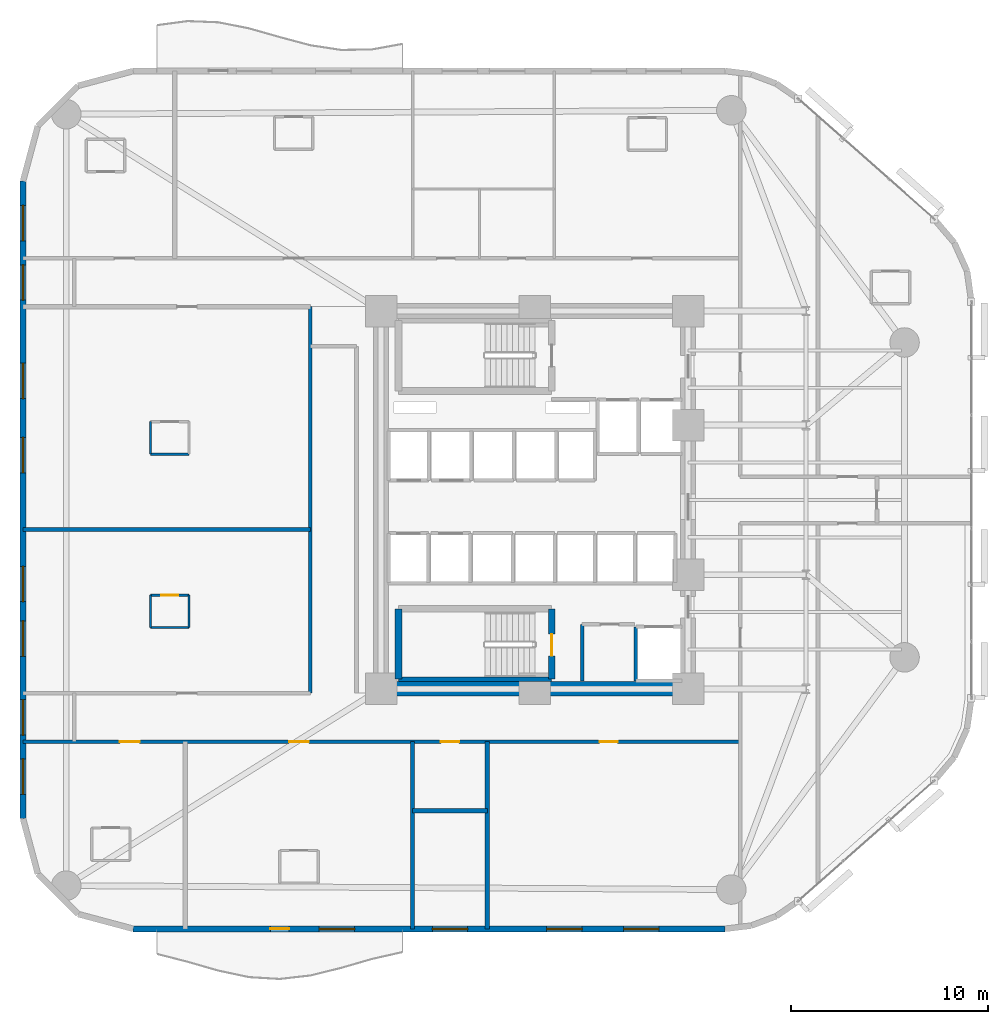
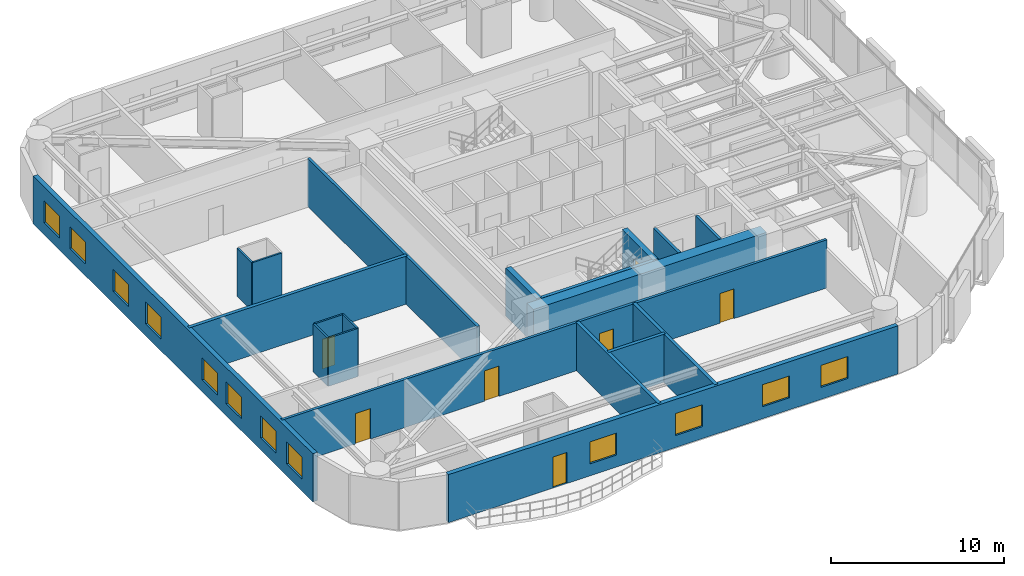
# One storey, part 10 of 16: 20 walls, 12 windows, 7 doors, 19 openings.
"""IFC4 building model written with IfcOpenShell, lengths in metres."""

from ifc_helpers import new_model, si_unit, direction, frame, frame_2d, origin, place, context, subcontext, project, spatial, rectangle, extrude, material, layer, layer_set, type_object, element, fill, save


model = new_model("IFC4")

# Units and contexts
model_context = context("Model", 3, precision=1e-05, world=origin(), true_north=direction((0.0, 1.0)))
body_context = subcontext(model_context, "Body", "Model", "MODEL_VIEW")
ifc_project = project(units=[si_unit("LENGTHUNIT", "METRE"), si_unit("AREAUNIT", "SQUARE_METRE"), si_unit("VOLUMEUNIT", "CUBIC_METRE"), si_unit("PLANEANGLEUNIT", "RADIAN"), si_unit("MASSUNIT", "GRAM", prefix="KILO")], contexts=[model_context])

# Site, building, storey
site_placement = place(None, origin())
site = spatial("IfcSite", under=ifc_project, at=site_placement, CompositionType="ELEMENT")
building_placement = place(site_placement, origin())
building = spatial("IfcBuilding", under=site, at=building_placement, Name="An Khanh Terracotta Commons", CompositionType="ELEMENT")
storey_placement = place(building_placement, frame((0.0, 0.0, 28.800048828125)))
storey = spatial("IfcBuildingStorey", under=building, at=storey_placement, Name="L07", CompositionType="ELEMENT", Elevation=28.800048828125)

# Walls
ifc_material_1 = material(Name="Concrete C70/85", Category="concrete")
ifc_layer_1 = layer(ifc_material_1, 0.75, Name="Concrete C70/85")
ifc_layer_set_1 = layer_set([ifc_layer_1], Name="Concrete C70/85")
wall_type_1 = type_object("IfcWallType", Name="WALL-CORE-750", PredefinedType="SHEAR", material=ifc_layer_set_1)
wall_1_placement = place(storey_placement, frame((37.199951171875, 14.39990234375, 0.0), z_axis=(0.0, 0.0, 1.0), x_axis=(-1.0, 0.0, 0.0)))
element("IfcWall", 1, at=wall_1_placement, inside=storey, type_object=wall_type_1, Name="L07 Core Wall CWALL-L07-S", PredefinedType="SHEAR", context=body_context, shape_type="SweptSolid", body=[
    extrude(rectangle(XDim=15.599853515625, YDim=0.75, at=frame_2d((7.7998046875, 0.0))), origin(), (0.0, 0.0, 1.0), 3.39990234375),
])
ifc_material_2 = material(Name="Fire-Rated Gypsum Board on Steel Stud", Category="steel")
ifc_layer_2 = layer(ifc_material_2, 0.179931640625, Name="Fire-Rated Gypsum Board on Steel Stud")
ifc_layer_set_2 = layer_set([ifc_layer_2], Name="Fire-Rated Gypsum Board on Steel Stud")
wall_type_2 = type_object("IfcWallType", Name="WALL-CORR-180", PredefinedType="PARTITIONING", material=ifc_layer_set_2)
wall_2_placement = place(storey_placement, frame((31.820068359375, 14.800048828125, 0.0), z_axis=(0.0, 0.0, 1.0), x_axis=(0.0, 1.0, 0.0)))
element("IfcWall", 2, at=wall_2_placement, inside=storey, type_object=wall_type_2, Name="L07 Core Wall SSVCW-L07-W", PredefinedType="PARTITIONING", context=body_context, shape_type="SweptSolid", body=[
    extrude(rectangle(XDim=2.8798828125, YDim=0.179931640625, at=frame_2d((1.43994140625, 0.0))), origin(), (0.0, 0.0, 1.0), 3.39990234375),
])
wall_3_placement = place(storey_placement, frame((34.550048828125, 17.550048828125, 0.0), z_axis=(0.0, 0.0, 1.0), x_axis=(0.0, -1.0, 0.0)))
element("IfcWall", 3, at=wall_3_placement, inside=storey, type_object=wall_type_2, Name="L07 Core Wall LSH-L07-SVL-01-W", PredefinedType="PARTITIONING", context=body_context, shape_type="SweptSolid", body=[
    extrude(rectangle(XDim=2.75, YDim=0.179931640625, at=frame_2d((1.375, 0.0))), origin(), (0.0, 0.0, 1.0), 3.39990234375),
])

# Wall, openings, doors
wall_4_placement = place(storey_placement, frame((3.39990234375, 11.719970703125, 0.0), z_axis=(0.0, 0.0, 1.0), x_axis=(1.0, 0.0, 0.0)))
wall_4 = element("IfcWall", 4, at=wall_4_placement, inside=storey, type_object=wall_type_2, Name="L07 Interior Partition IW-L07-E002", PredefinedType="PARTITIONING", context=body_context, shape_type="SweptSolid", body=[
    extrude(rectangle(XDim=36.4501953125, YDim=0.179931640625, at=frame_2d((18.22509765625, 0.0))), origin(), (0.0, 0.0, 1.0), 3.39990234375),
])
opening_1_placement = place(wall_4_placement, frame((21.239990234375, 0.0, 0.0)))
opening_1 = element("IfcOpeningElement", 5, at=opening_1_placement, cuts=wall_4, Name="Opening D-RM", PredefinedType="OPENING", context=body_context, shape_type="SweptSolid", body=[
    extrude(rectangle(XDim=0.919921875, YDim=2.10009765625, at=frame_2d((0.4599609375, 1.050048828125))), frame((0.0, 0.099853515625, 0.0), z_axis=(0.0, -1.0, 0.0), x_axis=(1.0, 0.0, 0.0)), (0.0, 0.0, 1.0), 0.199951171875),
])
opening_2_placement = place(wall_4_placement, frame((4.925048828125, 0.0, 0.0)))
opening_2 = element("IfcOpeningElement", 6, at=opening_2_placement, cuts=wall_4, Name="Opening D-UN", PredefinedType="OPENING", context=body_context, shape_type="SweptSolid", body=[
    extrude(rectangle(XDim=1.0, YDim=2.14990234375, at=frame_2d((0.5, 1.074951171875))), frame((0.0, 0.099853515625, 0.0), z_axis=(0.0, -1.0, 0.0), x_axis=(1.0, 0.0, 0.0)), (0.0, 0.0, 1.0), 0.199951171875),
])
opening_3_placement = place(wall_4_placement, frame((13.52490234375, 0.0, 0.0)))
opening_3 = element("IfcOpeningElement", 7, at=opening_3_placement, cuts=wall_4, Name="Opening D-UN", PredefinedType="OPENING", context=body_context, shape_type="SweptSolid", body=[
    extrude(rectangle(XDim=1.0, YDim=2.14990234375, at=frame_2d((0.5, 1.074951171875))), frame((0.0, 0.099853515625, 0.0), z_axis=(0.0, -1.0, 0.0), x_axis=(1.0, 0.0, 0.0)), (0.0, 0.0, 1.0), 0.199951171875),
])
opening_4_placement = place(wall_4_placement, frame((29.304931640625, 0.0, 0.0)))
opening_4 = element("IfcOpeningElement", 8, at=opening_4_placement, cuts=wall_4, Name="Opening D-RM", PredefinedType="OPENING", context=body_context, shape_type="SweptSolid", body=[
    extrude(rectangle(XDim=0.919921875, YDim=2.10009765625, at=frame_2d((0.4599609375, 1.050048828125))), frame((0.0, 0.099853515625, 0.0), z_axis=(0.0, -1.0, 0.0), x_axis=(1.0, 0.0, 0.0)), (0.0, 0.0, 1.0), 0.199951171875),
])
ifc_material_3 = material(Name="Engineered Hardwood Timber Leaf", Category="wood")
door_type_1 = type_object("IfcDoorType", Name="DOOR-INT-920", OperationType="NOTDEFINED", PredefinedType="DOOR", material=ifc_material_3)
door_1_placement = place(opening_1_placement, origin())
door_1 = element("IfcDoor", 9, at=door_1_placement, inside=storey, type_object=door_type_1, Name="L07 HKP Housekeeping Linen Store Door", OperationType="SINGLE_SWING_LEFT", OverallHeight=2.10009765625, OverallWidth=0.919921875, PredefinedType="DOOR", context=body_context, shape_type="SweptSolid", body=[
    extrude(rectangle(XDim=0.919921875, YDim=2.10009765625, at=frame_2d((0.4599609375, 1.050048828125))), frame((0.0, 0.02490234375, 0.0), z_axis=(0.0, -1.0, 0.0), x_axis=(1.0, 0.0, 0.0)), (0.0, 0.0, 1.0), 0.050048828125),
])
fill(opening_1, door_1)
door_2_placement = place(opening_4_placement, origin())
door_2 = element("IfcDoor", 10, at=door_2_placement, inside=storey, type_object=door_type_1, Name="L07 SWE Communal Kitchen and Dining Door", OperationType="SINGLE_SWING_RIGHT", OverallHeight=2.10009765625, OverallWidth=0.919921875, PredefinedType="DOOR", context=body_context, shape_type="SweptSolid", body=[
    extrude(rectangle(XDim=0.919921875, YDim=2.10009765625, at=frame_2d((0.4599609375, 1.050048828125))), frame((0.0, 0.02490234375, 0.0), z_axis=(0.0, -1.0, 0.0), x_axis=(1.0, 0.0, 0.0)), (0.0, 0.0, 1.0), 0.050048828125),
])
fill(opening_4, door_2)
ifc_material_4 = material(Name="Solid-Core Hardwood Acoustic Fire Door", Category="wood")
door_type_2 = type_object("IfcDoorType", Name="DOOR-UNIT-1000", OperationType="NOTDEFINED", PredefinedType="DOOR", material=ifc_material_4)
door_3_placement = place(opening_2_placement, origin())
door_3 = element("IfcDoor", 11, at=door_3_placement, inside=storey, type_object=door_type_2, Name="L07 SW1 Kitchenette and Studio Apartment Door", OperationType="SINGLE_SWING_RIGHT", OverallHeight=2.14990234375, OverallWidth=1.0, PredefinedType="DOOR", context=body_context, shape_type="SweptSolid", body=[
    extrude(rectangle(XDim=1.0, YDim=2.14990234375, at=frame_2d((0.5, 1.074951171875))), frame((0.0, 0.02490234375, 0.0), z_axis=(0.0, -1.0, 0.0), x_axis=(1.0, 0.0, 0.0)), (0.0, 0.0, 1.0), 0.050048828125),
])
fill(opening_2, door_3)
door_4_placement = place(opening_3_placement, origin())
door_4 = element("IfcDoor", 12, at=door_4_placement, inside=storey, type_object=door_type_2, Name="L07 SW2 Kitchenette and Studio Apartment Door", OperationType="SINGLE_SWING_LEFT", OverallHeight=2.14990234375, OverallWidth=1.0, PredefinedType="DOOR", context=body_context, shape_type="SweptSolid", body=[
    extrude(rectangle(XDim=1.0, YDim=2.14990234375, at=frame_2d((0.5, 1.074951171875))), frame((0.0, 0.02490234375, 0.0), z_axis=(0.0, -1.0, 0.0), x_axis=(1.0, 0.0, 0.0)), (0.0, 0.0, 1.0), 0.050048828125),
])
fill(opening_3, door_4)

# Wall
wall_5_placement = place(storey_placement, frame((18.0, 14.179931640625, 0.0), z_axis=(0.0, 0.0, 1.0), x_axis=(0.0, 1.0, 0.0)))
element("IfcWall", 13, at=wall_5_placement, inside=storey, type_object=wall_type_2, Name="L07 Interior Partition IW-L07-E015", PredefinedType="PARTITIONING", context=body_context, shape_type="SweptSolid", body=[
    extrude(rectangle(XDim=19.64013671875, YDim=0.179931640625, at=frame_2d((9.820068359375, 0.0))), origin(), (0.0, 0.0, 1.0), 3.39990234375),
])

# Wall, openings, door, windows
ifc_material_5 = material(Name="Precast concrete C40/50", Category="concrete")
ifc_layer_3 = layer(ifc_material_5, 0.300048828125, Name="Precast concrete C40/50")
ifc_layer_set_3 = layer_set([ifc_layer_3], Name="Precast concrete C40/50")
wall_type_3 = type_object("IfcWallType", Name="WALL-EXT-300", PredefinedType="SOLIDWALL", material=ifc_layer_set_3)
wall_6_placement = place(storey_placement, frame((9.0, 2.199951171875, 0.0), z_axis=(0.0, 0.0, 1.0), x_axis=(1.0, 0.0, 0.0)))
wall_6 = element("IfcWall", 14, at=wall_6_placement, inside=storey, type_object=wall_type_3, Name="L07 Insulated Terracotta Exterior Wall 4", PredefinedType="SOLIDWALL", context=body_context, shape_type="SweptSolid", body=[
    extrude(rectangle(XDim=30.0791015625, YDim=0.300048828125, at=frame_2d((15.03955078125, 0.0))), origin(), (0.0, 0.0, 1.0), 3.39990234375),
])
opening_5_placement = place(wall_6_placement, frame((6.97509765625, 0.0, 0.0)))
opening_5 = element("IfcOpeningElement", 15, at=opening_5_placement, cuts=wall_6, Name="Opening D-BAL", PredefinedType="OPENING", context=body_context, shape_type="SweptSolid", body=[
    extrude(rectangle(XDim=0.949951171875, YDim=2.199951171875, at=frame_2d((0.47509765625, 1.10009765625))), frame((0.0, 0.159912109375, 0.0), z_axis=(0.0, -1.0, 0.0), x_axis=(1.0, 0.0, 0.0)), (0.0, 0.0, 1.0), 0.320068359375),
])
opening_6_placement = place(wall_6_placement, frame((9.449951171875, 0.0, 0.85009765625)))
opening_6 = element("IfcOpeningElement", 16, at=opening_6_placement, cuts=wall_6, Name="Opening W-01", PredefinedType="OPENING", context=body_context, shape_type="SweptSolid", body=[
    extrude(rectangle(XDim=1.800048828125, YDim=1.550048828125, at=frame_2d((0.89990234375, 0.77490234375))), frame((0.0, 0.159912109375, 0.0), z_axis=(0.0, -1.0, 0.0), x_axis=(1.0, 0.0, 0.0)), (0.0, 0.0, 1.0), 0.320068359375),
])
opening_7_placement = place(wall_6_placement, frame((15.199951171875, 0.0, 0.85009765625)))
opening_7 = element("IfcOpeningElement", 17, at=opening_7_placement, cuts=wall_6, Name="Opening W-01", PredefinedType="OPENING", context=body_context, shape_type="SweptSolid", body=[
    extrude(rectangle(XDim=1.800048828125, YDim=1.550048828125, at=frame_2d((0.89990234375, 0.77490234375))), frame((0.0, 0.159912109375, 0.0), z_axis=(0.0, -1.0, 0.0), x_axis=(1.0, 0.0, 0.0)), (0.0, 0.0, 1.0), 0.320068359375),
])
opening_8_placement = place(wall_6_placement, frame((21.010009765625, 0.0, 0.85009765625)))
opening_8 = element("IfcOpeningElement", 18, at=opening_8_placement, cuts=wall_6, Name="Opening W-01", PredefinedType="OPENING", context=body_context, shape_type="SweptSolid", body=[
    extrude(rectangle(XDim=1.800048828125, YDim=1.550048828125, at=frame_2d((0.89990234375, 0.77490234375))), frame((0.0, 0.159912109375, 0.0), z_axis=(0.0, -1.0, 0.0), x_axis=(1.0, 0.0, 0.0)), (0.0, 0.0, 1.0), 0.320068359375),
])
opening_9_placement = place(wall_6_placement, frame((24.9189453125, 0.0, 0.85009765625)))
opening_9 = element("IfcOpeningElement", 19, at=opening_9_placement, cuts=wall_6, Name="Opening W-01", PredefinedType="OPENING", context=body_context, shape_type="SweptSolid", body=[
    extrude(rectangle(XDim=1.800048828125, YDim=1.550048828125, at=frame_2d((0.89990234375, 0.77490234375))), frame((0.0, 0.159912109375, 0.0), z_axis=(0.0, -1.0, 0.0), x_axis=(1.0, 0.0, 0.0)), (0.0, 0.0, 1.0), 0.320068359375),
])
ifc_material_6 = material(Name="Thermally Broken Aluminium and Low-E Glass", Category="aluminium")
door_type_3 = type_object("IfcDoorType", Name="DOOR-BALC-950", OperationType="NOTDEFINED", PredefinedType="DOOR", material=ifc_material_6)
door_5_placement = place(opening_5_placement, origin())
door_5 = element("IfcDoor", 20, at=door_5_placement, inside=storey, type_object=door_type_3, Name="L07 S Wave Balcony Glazed Door", OperationType="SINGLE_SWING_LEFT", OverallHeight=2.199951171875, OverallWidth=0.949951171875, PredefinedType="DOOR", context=body_context, shape_type="SweptSolid", body=[
    extrude(rectangle(XDim=0.949951171875, YDim=2.199951171875, at=frame_2d((0.47509765625, 1.10009765625))), frame((0.0, 0.02490234375, 0.0), z_axis=(0.0, -1.0, 0.0), x_axis=(1.0, 0.0, 0.0)), (0.0, 0.0, 1.0), 0.050048828125),
])
fill(opening_5, door_5)
window_type = type_object("IfcWindowType", Name="WIN-Z1-1800x1550", PartitioningType="DOUBLE_PANEL_VERTICAL", PredefinedType="WINDOW", material=ifc_material_6)
window_1_placement = place(opening_6_placement, origin())
window_1 = element("IfcWindow", 21, at=window_1_placement, inside=storey, type_object=window_type, Name="L07 Operable Casement Window 4.1", OverallHeight=1.550048828125, OverallWidth=1.800048828125, PartitioningType="DOUBLE_PANEL_VERTICAL", PredefinedType="WINDOW", context=body_context, shape_type="SweptSolid", body=[
    extrude(rectangle(XDim=1.800048828125, YDim=1.550048828125, at=frame_2d((0.89990234375, 0.77490234375))), frame((0.0, 0.030029296875, 0.0), z_axis=(0.0, -1.0, 0.0), x_axis=(1.0, 0.0, 0.0)), (0.0, 0.0, 1.0), 0.06005859375),
])
fill(opening_6, window_1)
window_2_placement = place(opening_7_placement, origin())
window_2 = element("IfcWindow", 22, at=window_2_placement, inside=storey, type_object=window_type, Name="L07 Operable Casement Window 4.2", OverallHeight=1.550048828125, OverallWidth=1.800048828125, PartitioningType="DOUBLE_PANEL_VERTICAL", PredefinedType="WINDOW", context=body_context, shape_type="SweptSolid", body=[
    extrude(rectangle(XDim=1.800048828125, YDim=1.550048828125, at=frame_2d((0.89990234375, 0.77490234375))), frame((0.0, 0.030029296875, 0.0), z_axis=(0.0, -1.0, 0.0), x_axis=(1.0, 0.0, 0.0)), (0.0, 0.0, 1.0), 0.06005859375),
])
fill(opening_7, window_2)
window_3_placement = place(opening_8_placement, origin())
window_3 = element("IfcWindow", 23, at=window_3_placement, inside=storey, type_object=window_type, Name="L07 Operable Casement Window 4.3", OverallHeight=1.550048828125, OverallWidth=1.800048828125, PartitioningType="DOUBLE_PANEL_VERTICAL", PredefinedType="WINDOW", context=body_context, shape_type="SweptSolid", body=[
    extrude(rectangle(XDim=1.800048828125, YDim=1.550048828125, at=frame_2d((0.89990234375, 0.77490234375))), frame((0.0, 0.030029296875, 0.0), z_axis=(0.0, -1.0, 0.0), x_axis=(1.0, 0.0, 0.0)), (0.0, 0.0, 1.0), 0.06005859375),
])
fill(opening_8, window_3)
window_4_placement = place(opening_9_placement, origin())
window_4 = element("IfcWindow", 24, at=window_4_placement, inside=storey, type_object=window_type, Name="L07 Operable Casement Window 4.4", OverallHeight=1.550048828125, OverallWidth=1.800048828125, PartitioningType="DOUBLE_PANEL_VERTICAL", PredefinedType="WINDOW", context=body_context, shape_type="SweptSolid", body=[
    extrude(rectangle(XDim=1.800048828125, YDim=1.550048828125, at=frame_2d((0.89990234375, 0.77490234375))), frame((0.0, 0.030029296875, 0.0), z_axis=(0.0, -1.0, 0.0), x_axis=(1.0, 0.0, 0.0)), (0.0, 0.0, 1.0), 0.06005859375),
])
fill(opening_9, window_4)

# Wall, openings, windows
wall_7_placement = place(storey_placement, frame((3.39990234375, 40.199951171875, 0.0), z_axis=(0.0, 0.0, 1.0), x_axis=(0.0, -1.0, 0.0)))
wall_7 = element("IfcWall", 25, at=wall_7_placement, inside=storey, type_object=wall_type_3, Name="L07 Insulated Terracotta Exterior Wall 24", PredefinedType="SOLIDWALL", context=body_context, shape_type="SweptSolid", body=[
    extrude(rectangle(XDim=32.39990234375, YDim=0.300048828125, at=frame_2d((16.199951171875, 0.0))), origin(), (0.0, 0.0, 1.0), 3.39990234375),
])
opening_10_placement = place(wall_7_placement, frame((1.235107421875, 0.0, 0.85009765625)))
opening_10 = element("IfcOpeningElement", 26, at=opening_10_placement, cuts=wall_7, Name="Opening W-01", PredefinedType="OPENING", context=body_context, shape_type="SweptSolid", body=[
    extrude(rectangle(XDim=1.800048828125, YDim=1.550048828125, at=frame_2d((0.89990234375, 0.77490234375))), frame((0.0, 0.159912109375, 0.0), z_axis=(0.0, -1.0, 0.0), x_axis=(1.0, 0.0, 0.0)), (0.0, 0.0, 1.0), 0.320068359375),
])
opening_11_placement = place(wall_7_placement, frame((4.25, 0.0, 0.85009765625)))
opening_11 = element("IfcOpeningElement", 27, at=opening_11_placement, cuts=wall_7, Name="Opening W-01", PredefinedType="OPENING", context=body_context, shape_type="SweptSolid", body=[
    extrude(rectangle(XDim=1.800048828125, YDim=1.550048828125, at=frame_2d((0.89990234375, 0.77490234375))), frame((0.0, 0.159912109375, 0.0), z_axis=(0.0, -1.0, 0.0), x_axis=(1.0, 0.0, 0.0)), (0.0, 0.0, 1.0), 0.320068359375),
])
opening_12_placement = place(wall_7_placement, frame((9.2529296875, 0.0, 0.85009765625)))
opening_12 = element("IfcOpeningElement", 28, at=opening_12_placement, cuts=wall_7, Name="Opening W-01", PredefinedType="OPENING", context=body_context, shape_type="SweptSolid", body=[
    extrude(rectangle(XDim=1.800048828125, YDim=1.550048828125, at=frame_2d((0.89990234375, 0.77490234375))), frame((0.0, 0.159912109375, 0.0), z_axis=(0.0, -1.0, 0.0), x_axis=(1.0, 0.0, 0.0)), (0.0, 0.0, 1.0), 0.320068359375),
])
opening_13_placement = place(wall_7_placement, frame((13.027099609375, 0.0, 0.85009765625)))
opening_13 = element("IfcOpeningElement", 29, at=opening_13_placement, cuts=wall_7, Name="Opening W-01", PredefinedType="OPENING", context=body_context, shape_type="SweptSolid", body=[
    extrude(rectangle(XDim=1.800048828125, YDim=1.550048828125, at=frame_2d((0.89990234375, 0.77490234375))), frame((0.0, 0.159912109375, 0.0), z_axis=(0.0, -1.0, 0.0), x_axis=(1.0, 0.0, 0.0)), (0.0, 0.0, 1.0), 0.320068359375),
])
opening_14_placement = place(wall_7_placement, frame((19.572998046875, 0.0, 0.85009765625)))
opening_14 = element("IfcOpeningElement", 30, at=opening_14_placement, cuts=wall_7, Name="Opening W-01", PredefinedType="OPENING", context=body_context, shape_type="SweptSolid", body=[
    extrude(rectangle(XDim=1.800048828125, YDim=1.550048828125, at=frame_2d((0.89990234375, 0.77490234375))), frame((0.0, 0.159912109375, 0.0), z_axis=(0.0, -1.0, 0.0), x_axis=(1.0, 0.0, 0.0)), (0.0, 0.0, 1.0), 0.320068359375),
])
opening_15_placement = place(wall_7_placement, frame((22.346923828125, 0.0, 0.85009765625)))
opening_15 = element("IfcOpeningElement", 31, at=opening_15_placement, cuts=wall_7, Name="Opening W-01", PredefinedType="OPENING", context=body_context, shape_type="SweptSolid", body=[
    extrude(rectangle(XDim=1.800048828125, YDim=1.550048828125, at=frame_2d((0.89990234375, 0.77490234375))), frame((0.0, 0.159912109375, 0.0), z_axis=(0.0, -1.0, 0.0), x_axis=(1.0, 0.0, 0.0)), (0.0, 0.0, 1.0), 0.320068359375),
])
opening_16_placement = place(wall_7_placement, frame((26.35009765625, 0.0, 0.85009765625)))
opening_16 = element("IfcOpeningElement", 32, at=opening_16_placement, cuts=wall_7, Name="Opening W-01", PredefinedType="OPENING", context=body_context, shape_type="SweptSolid", body=[
    extrude(rectangle(XDim=1.800048828125, YDim=1.550048828125, at=frame_2d((0.89990234375, 0.77490234375))), frame((0.0, 0.159912109375, 0.0), z_axis=(0.0, -1.0, 0.0), x_axis=(1.0, 0.0, 0.0)), (0.0, 0.0, 1.0), 0.320068359375),
])
opening_17_placement = place(wall_7_placement, frame((29.364990234375, 0.0, 0.85009765625)))
opening_17 = element("IfcOpeningElement", 33, at=opening_17_placement, cuts=wall_7, Name="Opening W-01", PredefinedType="OPENING", context=body_context, shape_type="SweptSolid", body=[
    extrude(rectangle(XDim=1.800048828125, YDim=1.550048828125, at=frame_2d((0.89990234375, 0.77490234375))), frame((0.0, 0.159912109375, 0.0), z_axis=(0.0, -1.0, 0.0), x_axis=(1.0, 0.0, 0.0)), (0.0, 0.0, 1.0), 0.320068359375),
])
window_5_placement = place(opening_10_placement, origin())
window_5 = element("IfcWindow", 34, at=window_5_placement, inside=storey, type_object=window_type, Name="L07 Operable Casement Window 24.1", OverallHeight=1.550048828125, OverallWidth=1.800048828125, PartitioningType="DOUBLE_PANEL_VERTICAL", PredefinedType="WINDOW", context=body_context, shape_type="SweptSolid", body=[
    extrude(rectangle(XDim=1.800048828125, YDim=1.550048828125, at=frame_2d((0.89990234375, 0.77490234375))), frame((0.0, 0.030029296875, 0.0), z_axis=(0.0, -1.0, 0.0), x_axis=(1.0, 0.0, 0.0)), (0.0, 0.0, 1.0), 0.06005859375),
])
fill(opening_10, window_5)
window_6_placement = place(opening_11_placement, origin())
window_6 = element("IfcWindow", 35, at=window_6_placement, inside=storey, type_object=window_type, Name="L07 Operable Casement Window 24.2", OverallHeight=1.550048828125, OverallWidth=1.800048828125, PartitioningType="DOUBLE_PANEL_VERTICAL", PredefinedType="WINDOW", context=body_context, shape_type="SweptSolid", body=[
    extrude(rectangle(XDim=1.800048828125, YDim=1.550048828125, at=frame_2d((0.89990234375, 0.77490234375))), frame((0.0, 0.030029296875, 0.0), z_axis=(0.0, -1.0, 0.0), x_axis=(1.0, 0.0, 0.0)), (0.0, 0.0, 1.0), 0.06005859375),
])
fill(opening_11, window_6)
window_7_placement = place(opening_12_placement, origin())
window_7 = element("IfcWindow", 36, at=window_7_placement, inside=storey, type_object=window_type, Name="L07 Operable Casement Window 24.3", OverallHeight=1.550048828125, OverallWidth=1.800048828125, PartitioningType="DOUBLE_PANEL_VERTICAL", PredefinedType="WINDOW", context=body_context, shape_type="SweptSolid", body=[
    extrude(rectangle(XDim=1.800048828125, YDim=1.550048828125, at=frame_2d((0.89990234375, 0.77490234375))), frame((0.0, 0.030029296875, 0.0), z_axis=(0.0, -1.0, 0.0), x_axis=(1.0, 0.0, 0.0)), (0.0, 0.0, 1.0), 0.06005859375),
])
fill(opening_12, window_7)
window_8_placement = place(opening_13_placement, origin())
window_8 = element("IfcWindow", 37, at=window_8_placement, inside=storey, type_object=window_type, Name="L07 Operable Casement Window 24.4", OverallHeight=1.550048828125, OverallWidth=1.800048828125, PartitioningType="DOUBLE_PANEL_VERTICAL", PredefinedType="WINDOW", context=body_context, shape_type="SweptSolid", body=[
    extrude(rectangle(XDim=1.800048828125, YDim=1.550048828125, at=frame_2d((0.89990234375, 0.77490234375))), frame((0.0, 0.030029296875, 0.0), z_axis=(0.0, -1.0, 0.0), x_axis=(1.0, 0.0, 0.0)), (0.0, 0.0, 1.0), 0.06005859375),
])
fill(opening_13, window_8)
window_9_placement = place(opening_14_placement, origin())
window_9 = element("IfcWindow", 38, at=window_9_placement, inside=storey, type_object=window_type, Name="L07 Operable Casement Window 24.5", OverallHeight=1.550048828125, OverallWidth=1.800048828125, PartitioningType="DOUBLE_PANEL_VERTICAL", PredefinedType="WINDOW", context=body_context, shape_type="SweptSolid", body=[
    extrude(rectangle(XDim=1.800048828125, YDim=1.550048828125, at=frame_2d((0.89990234375, 0.77490234375))), frame((0.0, 0.030029296875, 0.0), z_axis=(0.0, -1.0, 0.0), x_axis=(1.0, 0.0, 0.0)), (0.0, 0.0, 1.0), 0.06005859375),
])
fill(opening_14, window_9)
window_10_placement = place(opening_15_placement, origin())
window_10 = element("IfcWindow", 39, at=window_10_placement, inside=storey, type_object=window_type, Name="L07 Operable Casement Window 24.6", OverallHeight=1.550048828125, OverallWidth=1.800048828125, PartitioningType="DOUBLE_PANEL_VERTICAL", PredefinedType="WINDOW", context=body_context, shape_type="SweptSolid", body=[
    extrude(rectangle(XDim=1.800048828125, YDim=1.550048828125, at=frame_2d((0.89990234375, 0.77490234375))), frame((0.0, 0.030029296875, 0.0), z_axis=(0.0, -1.0, 0.0), x_axis=(1.0, 0.0, 0.0)), (0.0, 0.0, 1.0), 0.06005859375),
])
fill(opening_15, window_10)
window_11_placement = place(opening_16_placement, origin())
window_11 = element("IfcWindow", 40, at=window_11_placement, inside=storey, type_object=window_type, Name="L07 Operable Casement Window 24.7", OverallHeight=1.550048828125, OverallWidth=1.800048828125, PartitioningType="DOUBLE_PANEL_VERTICAL", PredefinedType="WINDOW", context=body_context, shape_type="SweptSolid", body=[
    extrude(rectangle(XDim=1.800048828125, YDim=1.550048828125, at=frame_2d((0.89990234375, 0.77490234375))), frame((0.0, 0.030029296875, 0.0), z_axis=(0.0, -1.0, 0.0), x_axis=(1.0, 0.0, 0.0)), (0.0, 0.0, 1.0), 0.06005859375),
])
fill(opening_16, window_11)
window_12_placement = place(opening_17_placement, origin())
window_12 = element("IfcWindow", 41, at=window_12_placement, inside=storey, type_object=window_type, Name="L07 Operable Casement Window 24.8", OverallHeight=1.550048828125, OverallWidth=1.800048828125, PartitioningType="DOUBLE_PANEL_VERTICAL", PredefinedType="WINDOW", context=body_context, shape_type="SweptSolid", body=[
    extrude(rectangle(XDim=1.800048828125, YDim=1.550048828125, at=frame_2d((0.89990234375, 0.77490234375))), frame((0.0, 0.030029296875, 0.0), z_axis=(0.0, -1.0, 0.0), x_axis=(1.0, 0.0, 0.0)), (0.0, 0.0, 1.0), 0.06005859375),
])
fill(opening_17, window_12)

# Walls
ifc_material_7 = material(Name="Acoustic Double-Stud Gypsum and Mineral Wool")
ifc_layer_4 = layer(ifc_material_7, 0.219970703125, Name="Acoustic Double-Stud Gypsum and Mineral Wool")
ifc_layer_set_4 = layer_set([ifc_layer_4], Name="Acoustic Double-Stud Gypsum and Mineral Wool")
wall_type_4 = type_object("IfcWallType", Name="WALL-PARTY-220", PredefinedType="PARTITIONING", material=ifc_layer_set_4)
wall_8_placement = place(storey_placement, frame((22.47998046875, 14.889892578125, 0.0), z_axis=(0.0, 0.0, 1.0), x_axis=(1.0, 0.0, 0.0)))
element("IfcWall", 42, at=wall_8_placement, inside=storey, type_object=wall_type_4, Name="L07 Core Wall STW-L07-S-S", PredefinedType="PARTITIONING", context=body_context, shape_type="SweptSolid", body=[
    extrude(rectangle(XDim=7.7900390625, YDim=0.219970703125, at=frame_2d((3.89501953125, 0.0))), origin(), (0.0, 0.0, 1.0), 3.39990234375),
])
wall_9_placement = place(storey_placement, frame((23.199951171875, 8.199951171875, 0.0), z_axis=(0.0, 0.0, 1.0), x_axis=(1.0, 0.0, 0.0)))
element("IfcWall", 43, at=wall_9_placement, inside=storey, type_object=wall_type_4, Name="L07 Interior Partition IW-L07-E001", PredefinedType="PARTITIONING", context=body_context, shape_type="SweptSolid", body=[
    extrude(rectangle(XDim=3.800048828125, YDim=0.219970703125, at=frame_2d((1.89990234375, 0.0))), origin(), (0.0, 0.0, 1.0), 3.39990234375),
])
wall_10_placement = place(storey_placement, frame((3.39990234375, 22.5, 0.0), z_axis=(0.0, 0.0, 1.0), x_axis=(1.0, 0.0, 0.0)))
element("IfcWall", 44, at=wall_10_placement, inside=storey, type_object=wall_type_4, Name="L07 Interior Partition IW-L07-E004", PredefinedType="PARTITIONING", context=body_context, shape_type="SweptSolid", body=[
    extrude(rectangle(XDim=14.60009765625, YDim=0.219970703125, at=frame_2d((7.300048828125, 0.0))), origin(), (0.0, 0.0, 1.0), 3.39990234375),
])
for number, where, z_axis, x_axis, name in (
    (45, (23.199951171875, 2.199951171875, 0.0), (0.0, 0.0, 1.0), (0.0, 1.0, 0.0), "L07 Interior Partition IW-L07-E017"),
    (46, (27.0, 2.199951171875, 0.0), (0.0, 0.0, 1.0), (0.0, 1.0, 0.0), "L07 Interior Partition IW-L07-E020"),
):
    element("IfcWall", number, at=place(storey_placement, frame(where, z_axis=z_axis, x_axis=x_axis)), inside=storey, type_object=wall_type_4, Name=name, PredefinedType="PARTITIONING", context=body_context, shape_type="SweptSolid", body=[
        extrude(rectangle(XDim=9.52001953125, YDim=0.219970703125, at=frame_2d((4.760009765625, 0.0))), origin(), (0.0, 0.0, 1.0), 3.39990234375),
    ])
ifc_material_8 = material(Name="Concrete C50/60", Category="concrete")
ifc_layer_5 = layer(ifc_material_8, 0.35009765625, Name="Concrete C50/60")
ifc_layer_set_5 = layer_set([ifc_layer_5], Name="Concrete C50/60")
wall_type_5 = type_object("IfcWallType", Name="WALL-SHAFT-350", PredefinedType="SOLIDWALL", material=ifc_layer_set_5)
wall_11_placement = place(storey_placement, frame((22.47998046875, 14.889892578125, 0.0), z_axis=(0.0, 0.0, 1.0), x_axis=(0.0, 1.0, 0.0)))
element("IfcWall", 47, at=wall_11_placement, inside=storey, type_object=wall_type_5, Name="L07 Core Wall STW-L07-S-W", PredefinedType="SOLIDWALL", context=body_context, shape_type="SweptSolid", body=[
    extrude(rectangle(XDim=3.580078125, YDim=0.35009765625, at=frame_2d((1.7900390625, 0.0))), origin(), (0.0, 0.0, 1.0), 3.39990234375),
])

# Wall, opening, door
wall_12_placement = place(storey_placement, frame((30.27001953125, 14.889892578125, 0.0), z_axis=(0.0, 0.0, 1.0), x_axis=(0.0, 1.0, 0.0)))
wall_12 = element("IfcWall", 48, at=wall_12_placement, inside=storey, type_object=wall_type_5, Name="L07 Core Wall STW-L07-S-E", PredefinedType="SOLIDWALL", context=body_context, shape_type="SweptSolid", body=[
    extrude(rectangle(XDim=3.580078125, YDim=0.35009765625, at=frame_2d((1.7900390625, 0.0))), origin(), (0.0, 0.0, 1.0), 3.39990234375),
])
opening_18_placement = place(wall_12_placement, frame((1.18994140625, 0.0, 0.0)))
opening_18 = element("IfcOpeningElement", 49, at=opening_18_placement, cuts=wall_12, Name="Opening D-ST", PredefinedType="OPENING", context=body_context, shape_type="SweptSolid", body=[
    extrude(rectangle(XDim=1.10009765625, YDim=2.14990234375, at=frame_2d((0.550048828125, 1.074951171875))), frame((0.0, 0.18505859375, 0.0), z_axis=(0.0, -1.0, 0.0), x_axis=(1.0, 0.0, 0.0)), (0.0, 0.0, 1.0), 0.3701171875),
])
ifc_material_9 = material(Name="Fire-Rated Steel Leaf and Frame", Category="steel")
door_type_4 = type_object("IfcDoorType", Name="DOOR-STAIR-1100", OperationType="NOTDEFINED", PredefinedType="DOOR", material=ifc_material_9)
door_6_placement = place(opening_18_placement, origin())
door_6 = element("IfcDoor", 50, at=door_6_placement, inside=storey, type_object=door_type_4, Name="L07 Stair ST-02 Fire Door", OperationType="SINGLE_SWING_LEFT", OverallHeight=2.14990234375, OverallWidth=1.10009765625, PredefinedType="DOOR", context=body_context, shape_type="SweptSolid", body=[
    extrude(rectangle(XDim=1.10009765625, YDim=2.14990234375, at=frame_2d((0.550048828125, 1.074951171875))), frame((0.0, 0.02490234375, 0.0), z_axis=(0.0, -1.0, 0.0), x_axis=(1.0, 0.0, 0.0)), (0.0, 0.0, 1.0), 0.050048828125),
])
fill(opening_18, door_6)

ifc_material_10 = material(Name="Moisture-Resistant Cement Board Partition")
ifc_layer_6 = layer(ifc_material_10, 0.1201171875, Name="Moisture-Resistant Cement Board Partition")
ifc_layer_set_6 = layer_set([ifc_layer_6], Name="Moisture-Resistant Cement Board Partition")
wall_type_6 = type_object("IfcWallType", Name="WALL-WET-120", PredefinedType="PARTITIONING", material=ifc_layer_set_6)
wall_13_placement = place(storey_placement, frame((9.885009765625, 19.1650390625, 0.0), z_axis=(0.0, 0.0, 1.0), x_axis=(1.0, 0.0, 0.0)))
wall_13 = element("IfcWall", 51, at=wall_13_placement, inside=storey, type_object=wall_type_6, Name="L07 Interior Partition IW-L07-WW1-BN", PredefinedType="PARTITIONING", context=body_context, shape_type="SweptSolid", body=[
    extrude(rectangle(XDim=1.949951171875, YDim=0.1201171875, at=frame_2d((0.97509765625, 0.0))), origin(), (0.0, 0.0, 1.0), 3.39990234375),
])
opening_19_placement = place(wall_13_placement, frame((0.544921875, 0.0, 0.0)))
opening_19 = element("IfcOpeningElement", 52, at=opening_19_placement, cuts=wall_13, Name="Opening D-ENS", PredefinedType="OPENING", context=body_context, shape_type="SweptSolid", body=[
    extrude(rectangle(XDim=0.860107421875, YDim=2.10009765625, at=frame_2d((0.43017578125, 1.050048828125))), frame((0.0, 0.070068359375, 0.0), z_axis=(0.0, -1.0, 0.0), x_axis=(1.0, 0.0, 0.0)), (0.0, 0.0, 1.0), 0.14013671875),
])
ifc_material_11 = material(Name="Moisture-Resistant Hardwood Timber Leaf", Category="wood")
door_type_5 = type_object("IfcDoorType", Name="DOOR-BATH-860", OperationType="NOTDEFINED", PredefinedType="DOOR", material=ifc_material_11)
door_7_placement = place(opening_19_placement, origin())
door_7 = element("IfcDoor", 53, at=door_7_placement, inside=storey, type_object=door_type_5, Name="L07 Studio WW1 En-suite Door", OperationType="SINGLE_SWING_LEFT", OverallHeight=2.10009765625, OverallWidth=0.860107421875, PredefinedType="DOOR", context=body_context, shape_type="SweptSolid", body=[
    extrude(rectangle(XDim=0.860107421875, YDim=2.10009765625, at=frame_2d((0.43017578125, 1.050048828125))), frame((0.0, 0.02490234375, 0.0), z_axis=(0.0, -1.0, 0.0), x_axis=(1.0, 0.0, 0.0)), (0.0, 0.0, 1.0), 0.050048828125),
])
fill(opening_19, door_7)

# Walls
wall_14_placement = place(storey_placement, frame((11.8349609375, 17.514892578125, 0.0), z_axis=(0.0, 0.0, 1.0), x_axis=(-1.0, 0.0, 0.0)))
element("IfcWall", 54, at=wall_14_placement, inside=storey, type_object=wall_type_6, Name="L07 Interior Partition IW-L07-WW1-BS", PredefinedType="PARTITIONING", context=body_context, shape_type="SweptSolid", body=[
    extrude(rectangle(XDim=1.949951171875, YDim=0.1201171875, at=frame_2d((0.97509765625, 0.0))), origin(), (0.0, 0.0, 1.0), 3.39990234375),
])
for number, where, z_axis, x_axis, name in (
    (55, (9.885009765625, 19.1650390625, 0.0), (0.0, 0.0, 1.0), (0.0, -1.0, 0.0), "L07 Interior Partition IW-L07-WW1-BW"),
    (56, (11.8349609375, 17.514892578125, 0.0), (0.0, 0.0, 1.0), (0.0, 1.0, 0.0), "L07 Interior Partition IW-L07-WW1-BE"),
):
    element("IfcWall", number, at=place(storey_placement, frame(where, z_axis=z_axis, x_axis=x_axis)), inside=storey, type_object=wall_type_6, Name=name, PredefinedType="PARTITIONING", context=body_context, shape_type="SweptSolid", body=[
        extrude(rectangle(XDim=1.650146484375, YDim=0.1201171875, at=frame_2d((0.8251953125, 0.0))), origin(), (0.0, 0.0, 1.0), 3.39990234375),
    ])
wall_15_placement = place(storey_placement, frame((11.8349609375, 26.324951171875, 0.0), z_axis=(0.0, 0.0, 1.0), x_axis=(-1.0, 0.0, 0.0)))
element("IfcWall", 57, at=wall_15_placement, inside=storey, type_object=wall_type_6, Name="L07 Interior Partition IW-L07-WW2-BS", PredefinedType="PARTITIONING", context=body_context, shape_type="SweptSolid", body=[
    extrude(rectangle(XDim=1.949951171875, YDim=0.1201171875, at=frame_2d((0.97509765625, 0.0))), origin(), (0.0, 0.0, 1.0), 3.39990234375),
])
wall_16_placement = place(storey_placement, frame((9.885009765625, 27.97509765625, 0.0), z_axis=(0.0, 0.0, 1.0), x_axis=(0.0, -1.0, 0.0)))
element("IfcWall", 58, at=wall_16_placement, inside=storey, type_object=wall_type_6, Name="L07 Interior Partition IW-L07-WW2-BW", PredefinedType="PARTITIONING", context=body_context, shape_type="SweptSolid", body=[
    extrude(rectangle(XDim=1.650146484375, YDim=0.1201171875, at=frame_2d((0.8251953125, 0.0))), origin(), (0.0, 0.0, 1.0), 3.39990234375),
])

save(model, "model.ifc")
